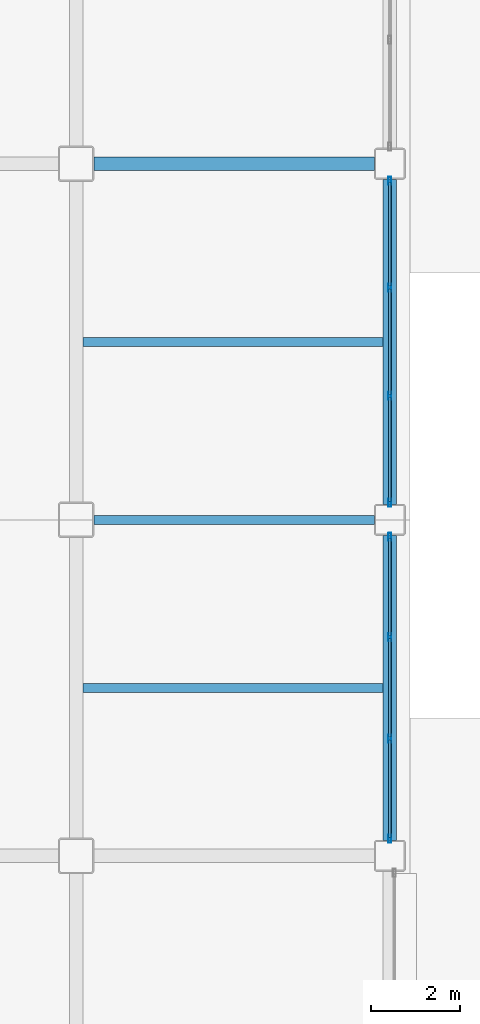
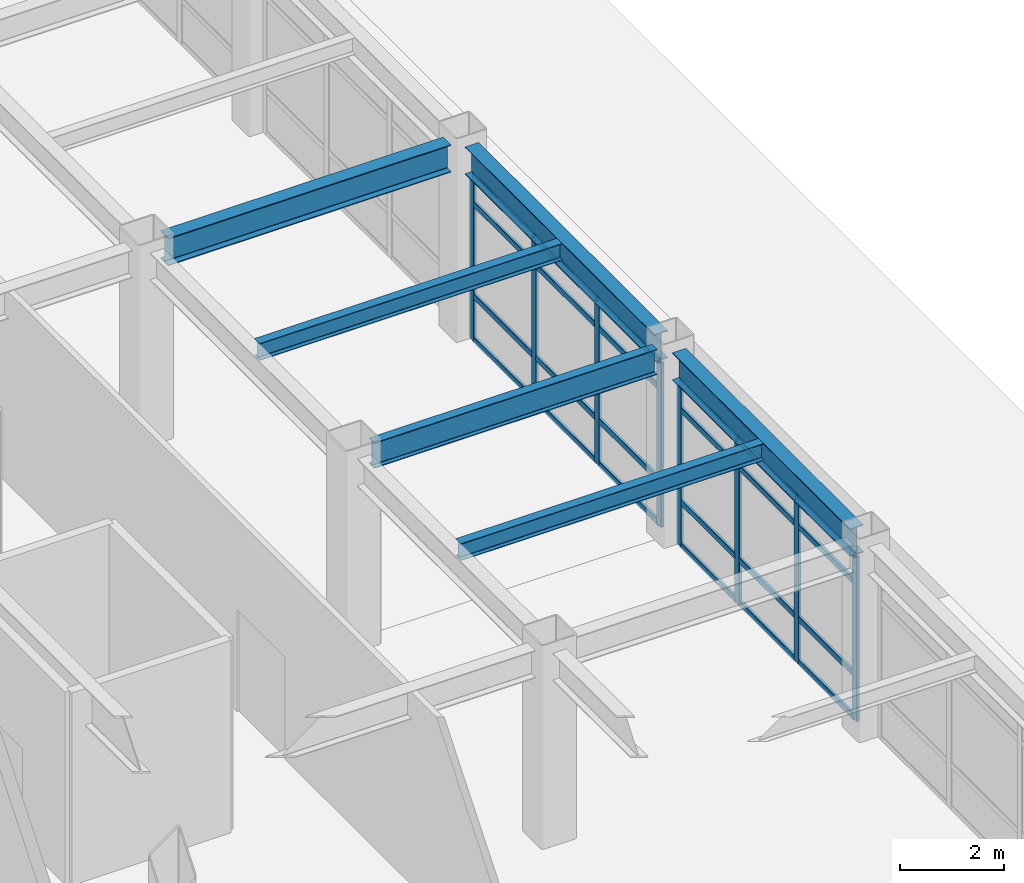
# One storey, part 108 of 172: 32 members, 6 beams, 2 elements without a shape of their own.
"""IFC4 building model written with IfcOpenShell, lengths in metres."""

from ifc_helpers import new_model, si_unit, direction, frame, origin, origin_2d, place, context, subcontext, project, spatial, hollow_rectangle, i_section, extrude, material, layer, layer_set, material_profile, profile_set, type_object, element, aggregate, save


model = new_model("IFC4")

# Units and contexts
model_context = context("Model", 3, precision=1e-05, world=origin(), true_north=direction((0.0, 1.0)))
body_context = subcontext(model_context, "Body", "Model", "MODEL_VIEW")
ifc_project = project(units=[si_unit("LENGTHUNIT", "METRE"), si_unit("AREAUNIT", "SQUARE_METRE"), si_unit("VOLUMEUNIT", "CUBIC_METRE"), si_unit("PLANEANGLEUNIT", "RADIAN"), si_unit("MASSUNIT", "GRAM", prefix="KILO")], contexts=[model_context])

# Site, building, storey
site_placement = place(None, origin())
site = spatial("IfcSite", under=ifc_project, at=site_placement, CompositionType="ELEMENT")
building_placement = place(site_placement, origin())
building = spatial("IfcBuilding", under=site, at=building_placement, Name="Kazehara Bluff Congress Hotel", CompositionType="ELEMENT")
storey_placement = place(building_placement, frame((0.0, 0.0, 5.39990234375)))
storey = spatial("IfcBuildingStorey", under=building, at=storey_placement, Name="L01", CompositionType="ELEMENT", Elevation=5.39990234375)

# Curtain wall, members
ifc_material_1 = material(Name="Anodised aluminium", Category="aluminium")
ifc_layer_1 = layer(ifc_material_1, 0.159912109375)
ifc_layer_set_1 = layer_set([ifc_layer_1], Name="Anodised aluminium")
curtain_wall_type_1 = type_object("IfcCurtainWallType", Name="TP-CW-83", PredefinedType="NOTDEFINED", material=ifc_layer_set_1)
curtain_wall_1_placement = place(storey_placement, origin())
curtain_wall_1 = element("IfcCurtainWall", 1, at=curtain_wall_1_placement, inside=storey, type_object=curtain_wall_type_1, Name="L01 curtain wall CW-83 CW-V5-L01-X16755-4125", PredefinedType="NOTDEFINED")
ifc_material_2 = material(Name="Anodised aluminium", Category="aluminium")
ifc_material_profile_1 = material_profile(ifc_material_2, hollow_rectangle(XDim=0.06494140625, YDim=0.179931640625, WallThickness=0.00390625, InnerFilletRadius=0.00390625, OuterFilletRadius=0.008056640625, at=origin_2d()))
ifc_profile_set_1 = profile_set([ifc_material_profile_1], Name="Anodised aluminium")
member_type_1 = type_object("IfcMemberType", Name="TP-CWM-02", PredefinedType="MULLION", material=ifc_profile_set_1)
member_1_placement = place(storey_placement, frame((167.550048828125, 41.282470703125, 0.0), z_axis=(0.0, 0.0, 1.0), x_axis=(-1.0, 0.0, 0.0)))
member_1 = element("IfcMember", 2, at=member_1_placement, type_object=member_type_1, Name="CW-83 mullion 1", PredefinedType="MULLION", context=body_context, shape_type="SweptSolid", body=[
    extrude(hollow_rectangle(XDim=0.06494140625, YDim=0.179931640625, WallThickness=0.00390625, InnerFilletRadius=0.00390625, OuterFilletRadius=0.008056640625, at=origin_2d()), origin(), (0.0, 0.0, 1.0), 3.875),
])
member_2_placement = place(storey_placement, frame((167.550048828125, 43.533447265625, 0.0), z_axis=(0.0, 0.0, 1.0), x_axis=(-1.0, 0.0, 0.0)))
member_2 = element("IfcMember", 3, at=member_2_placement, type_object=member_type_1, Name="CW-83 mullion 2", PredefinedType="MULLION", context=body_context, shape_type="SweptSolid", body=[
    extrude(hollow_rectangle(XDim=0.06494140625, YDim=0.179931640625, WallThickness=0.00390625, InnerFilletRadius=0.00390625, OuterFilletRadius=0.008056640625, at=origin_2d()), origin(), (0.0, 0.0, 1.0), 3.875),
])
member_3_placement = place(storey_placement, frame((167.550048828125, 45.816650390625, 0.0), z_axis=(0.0, 0.0, 1.0), x_axis=(-1.0, 0.0, 0.0)))
member_3 = element("IfcMember", 4, at=member_3_placement, type_object=member_type_1, Name="CW-83 mullion 3", PredefinedType="MULLION", context=body_context, shape_type="SweptSolid", body=[
    extrude(hollow_rectangle(XDim=0.06494140625, YDim=0.179931640625, WallThickness=0.00390625, InnerFilletRadius=0.00390625, OuterFilletRadius=0.008056640625, at=origin_2d()), origin(), (0.0, 0.0, 1.0), 3.875),
])
member_4_placement = place(storey_placement, frame((167.550048828125, 48.0673828125, 0.0), z_axis=(0.0, 0.0, 1.0), x_axis=(-1.0, 0.0, 0.0)))
member_4 = element("IfcMember", 5, at=member_4_placement, type_object=member_type_1, Name="CW-83 mullion 4", PredefinedType="MULLION", context=body_context, shape_type="SweptSolid", body=[
    extrude(hollow_rectangle(XDim=0.06494140625, YDim=0.179931640625, WallThickness=0.00390625, InnerFilletRadius=0.00390625, OuterFilletRadius=0.008056640625, at=origin_2d()), origin(), (0.0, 0.0, 1.0), 3.875),
])

ifc_material_3 = material(Name="Anodised aluminium", Category="aluminium")
ifc_layer_2 = layer(ifc_material_3, 0.159912109375)
ifc_layer_set_2 = layer_set([ifc_layer_2], Name="Anodised aluminium")
curtain_wall_type_2 = type_object("IfcCurtainWallType", Name="TP-CW-80", PredefinedType="NOTDEFINED", material=ifc_layer_set_2)
curtain_wall_2_placement = place(storey_placement, origin())
curtain_wall_2 = element("IfcCurtainWall", 6, at=curtain_wall_2_placement, inside=storey, type_object=curtain_wall_type_2, Name="L01 curtain wall CW-80 CW-V5-L01-X16755-4880", PredefinedType="NOTDEFINED")
member_5_placement = place(storey_placement, frame((167.550048828125, 48.83251953125, 0.0), z_axis=(0.0, 0.0, 1.0), x_axis=(-1.0, 0.0, 0.0)))
member_5 = element("IfcMember", 7, at=member_5_placement, type_object=member_type_1, Name="CW-80 mullion 1", PredefinedType="MULLION", context=body_context, shape_type="SweptSolid", body=[
    extrude(hollow_rectangle(XDim=0.06494140625, YDim=0.179931640625, WallThickness=0.00390625, InnerFilletRadius=0.00390625, OuterFilletRadius=0.008056640625, at=origin_2d()), origin(), (0.0, 0.0, 1.0), 3.875),
])
member_6_placement = place(storey_placement, frame((167.550048828125, 51.2333984375, 0.0), z_axis=(0.0, 0.0, 1.0), x_axis=(-1.0, 0.0, 0.0)))
member_6 = element("IfcMember", 8, at=member_6_placement, type_object=member_type_1, Name="CW-80 mullion 2", PredefinedType="MULLION", context=body_context, shape_type="SweptSolid", body=[
    extrude(hollow_rectangle(XDim=0.06494140625, YDim=0.179931640625, WallThickness=0.00390625, InnerFilletRadius=0.00390625, OuterFilletRadius=0.008056640625, at=origin_2d()), origin(), (0.0, 0.0, 1.0), 3.875),
])
member_7_placement = place(storey_placement, frame((167.550048828125, 53.666748046875, 0.0), z_axis=(0.0, 0.0, 1.0), x_axis=(-1.0, 0.0, 0.0)))
member_7 = element("IfcMember", 9, at=member_7_placement, type_object=member_type_1, Name="CW-80 mullion 3", PredefinedType="MULLION", context=body_context, shape_type="SweptSolid", body=[
    extrude(hollow_rectangle(XDim=0.06494140625, YDim=0.179931640625, WallThickness=0.00390625, InnerFilletRadius=0.00390625, OuterFilletRadius=0.008056640625, at=origin_2d()), origin(), (0.0, 0.0, 1.0), 3.875),
])
member_8_placement = place(storey_placement, frame((167.550048828125, 56.0673828125, 0.0), z_axis=(0.0, 0.0, 1.0), x_axis=(-1.0, 0.0, 0.0)))
member_8 = element("IfcMember", 10, at=member_8_placement, type_object=member_type_1, Name="CW-80 mullion 4", PredefinedType="MULLION", context=body_context, shape_type="SweptSolid", body=[
    extrude(hollow_rectangle(XDim=0.06494140625, YDim=0.179931640625, WallThickness=0.00390625, InnerFilletRadius=0.00390625, OuterFilletRadius=0.008056640625, at=origin_2d()), origin(), (0.0, 0.0, 1.0), 3.875),
])

# Member
ifc_material_4 = material(Name="Anodised aluminium", Category="aluminium")
ifc_material_profile_2 = material_profile(ifc_material_4, hollow_rectangle(XDim=0.06494140625, YDim=0.139892578125, WallThickness=0.00390625, InnerFilletRadius=0.00390625, OuterFilletRadius=0.008056640625, at=origin_2d()))
ifc_profile_set_2 = profile_set([ifc_material_profile_2], Name="Anodised aluminium")
member_type_2 = type_object("IfcMemberType", Name="TP-CWT-02", PredefinedType="USERDEFINED", material=ifc_profile_set_2)
member_9_placement = place(storey_placement, frame((167.550048828125, 41.31494140625, 0.03271484375), z_axis=(0.0, 1.0, 0.0), x_axis=(-1.0, 0.0, 0.0)))
member_9 = element("IfcMember", 11, at=member_9_placement, type_object=member_type_2, Name="CW-83 transom 1.1", ObjectType="TRANSOM", PredefinedType="USERDEFINED", context=body_context, shape_type="SweptSolid", body=[
    extrude(hollow_rectangle(XDim=0.06494140625, YDim=0.139892578125, WallThickness=0.00390625, InnerFilletRadius=0.00390625, OuterFilletRadius=0.008056640625, at=origin_2d()), origin(), (0.0, 0.0, 1.0), 2.185791015625),
])

member_10_placement = place(storey_placement, frame((167.550048828125, 41.31494140625, 1.050048828125), z_axis=(0.0, 1.0, 0.0), x_axis=(-1.0, 0.0, 0.0)))
member_10 = element("IfcMember", 12, at=member_10_placement, type_object=member_type_2, Name="CW-83 transom 1.2", ObjectType="TRANSOM", PredefinedType="USERDEFINED", context=body_context, shape_type="SweptSolid", body=[
    extrude(hollow_rectangle(XDim=0.06494140625, YDim=0.139892578125, WallThickness=0.00390625, InnerFilletRadius=0.00390625, OuterFilletRadius=0.008056640625, at=origin_2d()), origin(), (0.0, 0.0, 1.0), 2.185791015625),
])

member_11_placement = place(storey_placement, frame((167.550048828125, 41.31494140625, 3.22509765625), z_axis=(0.0, 1.0, 0.0), x_axis=(-1.0, 0.0, 0.0)))
member_11 = element("IfcMember", 13, at=member_11_placement, type_object=member_type_2, Name="CW-83 transom 1.3", ObjectType="TRANSOM", PredefinedType="USERDEFINED", context=body_context, shape_type="SweptSolid", body=[
    extrude(hollow_rectangle(XDim=0.06494140625, YDim=0.139892578125, WallThickness=0.00390625, InnerFilletRadius=0.00390625, OuterFilletRadius=0.008056640625, at=origin_2d()), origin(), (0.0, 0.0, 1.0), 2.185791015625),
])

member_12_placement = place(storey_placement, frame((167.550048828125, 41.31494140625, 3.842529296875), z_axis=(0.0, 1.0, 0.0), x_axis=(-1.0, 0.0, 0.0)))
member_12 = element("IfcMember", 14, at=member_12_placement, type_object=member_type_2, Name="CW-83 transom 1.4", ObjectType="TRANSOM", PredefinedType="USERDEFINED", context=body_context, shape_type="SweptSolid", body=[
    extrude(hollow_rectangle(XDim=0.06494140625, YDim=0.139892578125, WallThickness=0.00390625, InnerFilletRadius=0.00390625, OuterFilletRadius=0.008056640625, at=origin_2d()), origin(), (0.0, 0.0, 1.0), 2.185791015625),
])

member_13_placement = place(storey_placement, frame((167.550048828125, 43.56591796875, 0.03271484375), z_axis=(0.0, 1.0, 0.0), x_axis=(-1.0, 0.0, 0.0)))
member_13 = element("IfcMember", 15, at=member_13_placement, type_object=member_type_2, Name="CW-83 transom 2.1", ObjectType="TRANSOM", PredefinedType="USERDEFINED", context=body_context, shape_type="SweptSolid", body=[
    extrude(hollow_rectangle(XDim=0.06494140625, YDim=0.139892578125, WallThickness=0.00390625, InnerFilletRadius=0.00390625, OuterFilletRadius=0.008056640625, at=origin_2d()), origin(), (0.0, 0.0, 1.0), 2.21826171875),
])

member_14_placement = place(storey_placement, frame((167.550048828125, 43.56591796875, 1.050048828125), z_axis=(0.0, 1.0, 0.0), x_axis=(-1.0, 0.0, 0.0)))
member_14 = element("IfcMember", 16, at=member_14_placement, type_object=member_type_2, Name="CW-83 transom 2.2", ObjectType="TRANSOM", PredefinedType="USERDEFINED", context=body_context, shape_type="SweptSolid", body=[
    extrude(hollow_rectangle(XDim=0.06494140625, YDim=0.139892578125, WallThickness=0.00390625, InnerFilletRadius=0.00390625, OuterFilletRadius=0.008056640625, at=origin_2d()), origin(), (0.0, 0.0, 1.0), 2.21826171875),
])

member_15_placement = place(storey_placement, frame((167.550048828125, 43.56591796875, 3.22509765625), z_axis=(0.0, 1.0, 0.0), x_axis=(-1.0, 0.0, 0.0)))
member_15 = element("IfcMember", 17, at=member_15_placement, type_object=member_type_2, Name="CW-83 transom 2.3", ObjectType="TRANSOM", PredefinedType="USERDEFINED", context=body_context, shape_type="SweptSolid", body=[
    extrude(hollow_rectangle(XDim=0.06494140625, YDim=0.139892578125, WallThickness=0.00390625, InnerFilletRadius=0.00390625, OuterFilletRadius=0.008056640625, at=origin_2d()), origin(), (0.0, 0.0, 1.0), 2.21826171875),
])

member_16_placement = place(storey_placement, frame((167.550048828125, 43.56591796875, 3.842529296875), z_axis=(0.0, 1.0, 0.0), x_axis=(-1.0, 0.0, 0.0)))
member_16 = element("IfcMember", 18, at=member_16_placement, type_object=member_type_2, Name="CW-83 transom 2.4", ObjectType="TRANSOM", PredefinedType="USERDEFINED", context=body_context, shape_type="SweptSolid", body=[
    extrude(hollow_rectangle(XDim=0.06494140625, YDim=0.139892578125, WallThickness=0.00390625, InnerFilletRadius=0.00390625, OuterFilletRadius=0.008056640625, at=origin_2d()), origin(), (0.0, 0.0, 1.0), 2.21826171875),
])

member_17_placement = place(storey_placement, frame((167.550048828125, 45.84912109375, 0.03271484375), z_axis=(0.0, 1.0, 0.0), x_axis=(-1.0, 0.0, 0.0)))
member_17 = element("IfcMember", 19, at=member_17_placement, type_object=member_type_2, Name="CW-83 transom 3.1", ObjectType="TRANSOM", PredefinedType="USERDEFINED", context=body_context, shape_type="SweptSolid", body=[
    extrude(hollow_rectangle(XDim=0.06494140625, YDim=0.139892578125, WallThickness=0.00390625, InnerFilletRadius=0.00390625, OuterFilletRadius=0.008056640625, at=origin_2d()), origin(), (0.0, 0.0, 1.0), 2.185791015625),
])

member_18_placement = place(storey_placement, frame((167.550048828125, 45.84912109375, 1.050048828125), z_axis=(0.0, 1.0, 0.0), x_axis=(-1.0, 0.0, 0.0)))
member_18 = element("IfcMember", 20, at=member_18_placement, type_object=member_type_2, Name="CW-83 transom 3.2", ObjectType="TRANSOM", PredefinedType="USERDEFINED", context=body_context, shape_type="SweptSolid", body=[
    extrude(hollow_rectangle(XDim=0.06494140625, YDim=0.139892578125, WallThickness=0.00390625, InnerFilletRadius=0.00390625, OuterFilletRadius=0.008056640625, at=origin_2d()), origin(), (0.0, 0.0, 1.0), 2.185791015625),
])

member_19_placement = place(storey_placement, frame((167.550048828125, 45.84912109375, 3.22509765625), z_axis=(0.0, 1.0, 0.0), x_axis=(-1.0, 0.0, 0.0)))
member_19 = element("IfcMember", 21, at=member_19_placement, type_object=member_type_2, Name="CW-83 transom 3.3", ObjectType="TRANSOM", PredefinedType="USERDEFINED", context=body_context, shape_type="SweptSolid", body=[
    extrude(hollow_rectangle(XDim=0.06494140625, YDim=0.139892578125, WallThickness=0.00390625, InnerFilletRadius=0.00390625, OuterFilletRadius=0.008056640625, at=origin_2d()), origin(), (0.0, 0.0, 1.0), 2.185791015625),
])

member_20_placement = place(storey_placement, frame((167.550048828125, 45.84912109375, 3.842529296875), z_axis=(0.0, 1.0, 0.0), x_axis=(-1.0, 0.0, 0.0)))
member_20 = element("IfcMember", 22, at=member_20_placement, type_object=member_type_2, Name="CW-83 transom 3.4", ObjectType="TRANSOM", PredefinedType="USERDEFINED", context=body_context, shape_type="SweptSolid", body=[
    extrude(hollow_rectangle(XDim=0.06494140625, YDim=0.139892578125, WallThickness=0.00390625, InnerFilletRadius=0.00390625, OuterFilletRadius=0.008056640625, at=origin_2d()), origin(), (0.0, 0.0, 1.0), 2.185791015625),
])

aggregate(curtain_wall_1, [member_1, member_2, member_3, member_4, member_9, member_10, member_11, member_12, member_13, member_14, member_15, member_16, member_17, member_18, member_19, member_20])

member_21_placement = place(storey_placement, frame((167.550048828125, 48.864990234375, 0.03271484375), z_axis=(0.0, 1.0, 0.0), x_axis=(-1.0, 0.0, 0.0)))
member_21 = element("IfcMember", 23, at=member_21_placement, type_object=member_type_2, Name="CW-80 transom 1.1", ObjectType="TRANSOM", PredefinedType="USERDEFINED", context=body_context, shape_type="SweptSolid", body=[
    extrude(hollow_rectangle(XDim=0.06494140625, YDim=0.139892578125, WallThickness=0.00390625, InnerFilletRadius=0.00390625, OuterFilletRadius=0.008056640625, at=origin_2d()), origin(), (0.0, 0.0, 1.0), 2.3359375),
])

member_22_placement = place(storey_placement, frame((167.550048828125, 48.864990234375, 1.050048828125), z_axis=(0.0, 1.0, 0.0), x_axis=(-1.0, 0.0, 0.0)))
member_22 = element("IfcMember", 24, at=member_22_placement, type_object=member_type_2, Name="CW-80 transom 1.2", ObjectType="TRANSOM", PredefinedType="USERDEFINED", context=body_context, shape_type="SweptSolid", body=[
    extrude(hollow_rectangle(XDim=0.06494140625, YDim=0.139892578125, WallThickness=0.00390625, InnerFilletRadius=0.00390625, OuterFilletRadius=0.008056640625, at=origin_2d()), origin(), (0.0, 0.0, 1.0), 2.3359375),
])

member_23_placement = place(storey_placement, frame((167.550048828125, 48.864990234375, 3.22509765625), z_axis=(0.0, 1.0, 0.0), x_axis=(-1.0, 0.0, 0.0)))
member_23 = element("IfcMember", 25, at=member_23_placement, type_object=member_type_2, Name="CW-80 transom 1.3", ObjectType="TRANSOM", PredefinedType="USERDEFINED", context=body_context, shape_type="SweptSolid", body=[
    extrude(hollow_rectangle(XDim=0.06494140625, YDim=0.139892578125, WallThickness=0.00390625, InnerFilletRadius=0.00390625, OuterFilletRadius=0.008056640625, at=origin_2d()), origin(), (0.0, 0.0, 1.0), 2.3359375),
])

member_24_placement = place(storey_placement, frame((167.550048828125, 48.864990234375, 3.842529296875), z_axis=(0.0, 1.0, 0.0), x_axis=(-1.0, 0.0, 0.0)))
member_24 = element("IfcMember", 26, at=member_24_placement, type_object=member_type_2, Name="CW-80 transom 1.4", ObjectType="TRANSOM", PredefinedType="USERDEFINED", context=body_context, shape_type="SweptSolid", body=[
    extrude(hollow_rectangle(XDim=0.06494140625, YDim=0.139892578125, WallThickness=0.00390625, InnerFilletRadius=0.00390625, OuterFilletRadius=0.008056640625, at=origin_2d()), origin(), (0.0, 0.0, 1.0), 2.3359375),
])

member_25_placement = place(storey_placement, frame((167.550048828125, 51.265869140625, 0.03271484375), z_axis=(0.0, 1.0, 0.0), x_axis=(-1.0, 0.0, 0.0)))
member_25 = element("IfcMember", 27, at=member_25_placement, type_object=member_type_2, Name="CW-80 transom 2.1", ObjectType="TRANSOM", PredefinedType="USERDEFINED", context=body_context, shape_type="SweptSolid", body=[
    extrude(hollow_rectangle(XDim=0.06494140625, YDim=0.139892578125, WallThickness=0.00390625, InnerFilletRadius=0.00390625, OuterFilletRadius=0.008056640625, at=origin_2d()), origin(), (0.0, 0.0, 1.0), 2.368408203125),
])

member_26_placement = place(storey_placement, frame((167.550048828125, 51.265869140625, 1.050048828125), z_axis=(0.0, 1.0, 0.0), x_axis=(-1.0, 0.0, 0.0)))
member_26 = element("IfcMember", 28, at=member_26_placement, type_object=member_type_2, Name="CW-80 transom 2.2", ObjectType="TRANSOM", PredefinedType="USERDEFINED", context=body_context, shape_type="SweptSolid", body=[
    extrude(hollow_rectangle(XDim=0.06494140625, YDim=0.139892578125, WallThickness=0.00390625, InnerFilletRadius=0.00390625, OuterFilletRadius=0.008056640625, at=origin_2d()), origin(), (0.0, 0.0, 1.0), 2.368408203125),
])

member_27_placement = place(storey_placement, frame((167.550048828125, 51.265869140625, 3.22509765625), z_axis=(0.0, 1.0, 0.0), x_axis=(-1.0, 0.0, 0.0)))
member_27 = element("IfcMember", 29, at=member_27_placement, type_object=member_type_2, Name="CW-80 transom 2.3", ObjectType="TRANSOM", PredefinedType="USERDEFINED", context=body_context, shape_type="SweptSolid", body=[
    extrude(hollow_rectangle(XDim=0.06494140625, YDim=0.139892578125, WallThickness=0.00390625, InnerFilletRadius=0.00390625, OuterFilletRadius=0.008056640625, at=origin_2d()), origin(), (0.0, 0.0, 1.0), 2.368408203125),
])

member_28_placement = place(storey_placement, frame((167.550048828125, 51.265869140625, 3.842529296875), z_axis=(0.0, 1.0, 0.0), x_axis=(-1.0, 0.0, 0.0)))
member_28 = element("IfcMember", 30, at=member_28_placement, type_object=member_type_2, Name="CW-80 transom 2.4", ObjectType="TRANSOM", PredefinedType="USERDEFINED", context=body_context, shape_type="SweptSolid", body=[
    extrude(hollow_rectangle(XDim=0.06494140625, YDim=0.139892578125, WallThickness=0.00390625, InnerFilletRadius=0.00390625, OuterFilletRadius=0.008056640625, at=origin_2d()), origin(), (0.0, 0.0, 1.0), 2.368408203125),
])

member_29_placement = place(storey_placement, frame((167.550048828125, 53.69921875, 0.03271484375), z_axis=(0.0, 1.0, 0.0), x_axis=(-1.0, 0.0, 0.0)))
member_29 = element("IfcMember", 31, at=member_29_placement, type_object=member_type_2, Name="CW-80 transom 3.1", ObjectType="TRANSOM", PredefinedType="USERDEFINED", context=body_context, shape_type="SweptSolid", body=[
    extrude(hollow_rectangle(XDim=0.06494140625, YDim=0.139892578125, WallThickness=0.00390625, InnerFilletRadius=0.00390625, OuterFilletRadius=0.008056640625, at=origin_2d()), origin(), (0.0, 0.0, 1.0), 2.335693359375),
])

member_30_placement = place(storey_placement, frame((167.550048828125, 53.69921875, 1.050048828125), z_axis=(0.0, 1.0, 0.0), x_axis=(-1.0, 0.0, 0.0)))
member_30 = element("IfcMember", 32, at=member_30_placement, type_object=member_type_2, Name="CW-80 transom 3.2", ObjectType="TRANSOM", PredefinedType="USERDEFINED", context=body_context, shape_type="SweptSolid", body=[
    extrude(hollow_rectangle(XDim=0.06494140625, YDim=0.139892578125, WallThickness=0.00390625, InnerFilletRadius=0.00390625, OuterFilletRadius=0.008056640625, at=origin_2d()), origin(), (0.0, 0.0, 1.0), 2.335693359375),
])

member_31_placement = place(storey_placement, frame((167.550048828125, 53.69921875, 3.22509765625), z_axis=(0.0, 1.0, 0.0), x_axis=(-1.0, 0.0, 0.0)))
member_31 = element("IfcMember", 33, at=member_31_placement, type_object=member_type_2, Name="CW-80 transom 3.3", ObjectType="TRANSOM", PredefinedType="USERDEFINED", context=body_context, shape_type="SweptSolid", body=[
    extrude(hollow_rectangle(XDim=0.06494140625, YDim=0.139892578125, WallThickness=0.00390625, InnerFilletRadius=0.00390625, OuterFilletRadius=0.008056640625, at=origin_2d()), origin(), (0.0, 0.0, 1.0), 2.335693359375),
])

member_32_placement = place(storey_placement, frame((167.550048828125, 53.69921875, 3.842529296875), z_axis=(0.0, 1.0, 0.0), x_axis=(-1.0, 0.0, 0.0)))
member_32 = element("IfcMember", 34, at=member_32_placement, type_object=member_type_2, Name="CW-80 transom 3.4", ObjectType="TRANSOM", PredefinedType="USERDEFINED", context=body_context, shape_type="SweptSolid", body=[
    extrude(hollow_rectangle(XDim=0.06494140625, YDim=0.139892578125, WallThickness=0.00390625, InnerFilletRadius=0.00390625, OuterFilletRadius=0.008056640625, at=origin_2d()), origin(), (0.0, 0.0, 1.0), 2.335693359375),
])

aggregate(curtain_wall_2, [member_5, member_6, member_7, member_8, member_21, member_22, member_23, member_24, member_25, member_26, member_27, member_28, member_29, member_30, member_31, member_32])

# Beams
ifc_material_5 = material(Name="Steel SN490B", Category="steel")
ifc_material_profile_3 = material_profile(ifc_material_5, i_section(OverallWidth=0.300048828125, OverallDepth=0.64990234375, WebThickness=0.011962890625, FlangeThickness=0.02001953125, FilletRadius=0.012939453125, at=origin_2d()))
ifc_profile_set_3 = profile_set([ifc_material_profile_3], Name="Steel SN490B")
beam_type_1 = type_object("IfcBeamType", Name="TP-G-03", PredefinedType="BEAM", material=ifc_profile_set_3)
beam_1_placement = place(storey_placement, frame((167.550048828125, 41.25, 4.22509765625), z_axis=(0.0, 1.0, 0.0), x_axis=(-1.0, 0.0, 0.0)))
element("IfcBeam", 35, at=beam_1_placement, inside=storey, type_object=beam_type_1, Name="L01 girder G-03 264", PredefinedType="BEAM", context=body_context, shape_type="SweptSolid", body=[
    extrude(i_section(OverallWidth=0.300048828125, OverallDepth=0.64990234375, WebThickness=0.011962890625, FlangeThickness=0.02001953125, FilletRadius=0.012939453125, at=origin_2d()), origin(), (0.0, 0.0, 1.0), 6.85009765625),
])
beam_2_placement = place(storey_placement, frame((167.550048828125, 48.800048828125, 4.22509765625), z_axis=(0.0, 1.0, 0.0), x_axis=(-1.0, 0.0, 0.0)))
element("IfcBeam", 36, at=beam_2_placement, inside=storey, type_object=beam_type_1, Name="L01 girder G-03 265", PredefinedType="BEAM", context=body_context, shape_type="SweptSolid", body=[
    extrude(i_section(OverallWidth=0.300048828125, OverallDepth=0.64990234375, WebThickness=0.011962890625, FlangeThickness=0.02001953125, FilletRadius=0.012939453125, at=origin_2d()), origin(), (0.0, 0.0, 1.0), 7.300048828125),
])
beam_3_placement = place(storey_placement, frame((160.89990234375, 56.449951171875, 4.22509765625), z_axis=(1.0, 0.0, 0.0), x_axis=(0.0, 1.0, 0.0)))
element("IfcBeam", 37, at=beam_3_placement, inside=storey, type_object=beam_type_1, Name="L01 girder G-03 302", PredefinedType="BEAM", context=body_context, shape_type="SweptSolid", body=[
    extrude(i_section(OverallWidth=0.300048828125, OverallDepth=0.64990234375, WebThickness=0.011962890625, FlangeThickness=0.02001953125, FilletRadius=0.012939453125, at=origin_2d()), origin(), (0.0, 0.0, 1.0), 6.300048828125),
])
ifc_material_6 = material(Name="Steel SN400B", Category="steel")
ifc_material_profile_4 = material_profile(ifc_material_6, i_section(OverallWidth=0.199951171875, OverallDepth=0.39990234375, WebThickness=0.008056640625, FlangeThickness=0.012939453125, FilletRadius=0.012939453125, at=origin_2d()))
ifc_profile_set_4 = profile_set([ifc_material_profile_4], Name="Steel SN400B")
beam_type_2 = type_object("IfcBeamType", Name="TP-J-03", PredefinedType="JOIST", material=ifc_profile_set_4)
for number, where, z_axis, x_axis, name in (
    (38, (160.64990234375, 44.675048828125, 4.35009765625), (1.0, 0.0, 0.0), (0.0, 1.0, 0.0), "L01 secondary joist J-03 75"),
    (39, (160.64990234375, 52.449951171875, 4.35009765625), (1.0, 0.0, 0.0), (0.0, 1.0, 0.0), "L01 secondary joist J-03 76"),
):
    element("IfcBeam", number, at=place(storey_placement, frame(where, z_axis=z_axis, x_axis=x_axis)), inside=storey, type_object=beam_type_2, Name=name, PredefinedType="JOIST", context=body_context, shape_type="SweptSolid", body=[
        extrude(i_section(OverallWidth=0.199951171875, OverallDepth=0.39990234375, WebThickness=0.008056640625, FlangeThickness=0.012939453125, FilletRadius=0.012939453125, at=origin_2d()), origin(), (0.0, 0.0, 1.0), 6.75),
    ])
ifc_material_7 = material(Name="Steel SN490B", Category="steel")
ifc_material_profile_5 = material_profile(ifc_material_7, i_section(OverallWidth=0.199951171875, OverallDepth=0.60009765625, WebThickness=0.010986328125, FlangeThickness=0.01708984375, FilletRadius=0.012939453125, at=origin_2d()))
ifc_profile_set_5 = profile_set([ifc_material_profile_5], Name="Steel SN490B")
beam_type_3 = type_object("IfcBeamType", Name="TP-SP-02", PredefinedType="SPANDREL", material=ifc_profile_set_5)
beam_4_placement = place(storey_placement, frame((160.89990234375, 48.449951171875, 4.25), z_axis=(1.0, 0.0, 0.0), x_axis=(0.0, 1.0, 0.0)))
element("IfcBeam", 40, at=beam_4_placement, inside=storey, type_object=beam_type_3, Name="L01 girder SP-02 299", PredefinedType="SPANDREL", context=body_context, shape_type="SweptSolid", body=[
    extrude(i_section(OverallWidth=0.199951171875, OverallDepth=0.60009765625, WebThickness=0.010986328125, FlangeThickness=0.01708984375, FilletRadius=0.012939453125, at=origin_2d()), origin(), (0.0, 0.0, 1.0), 6.300048828125),
])

save(model, "model.ifc")
